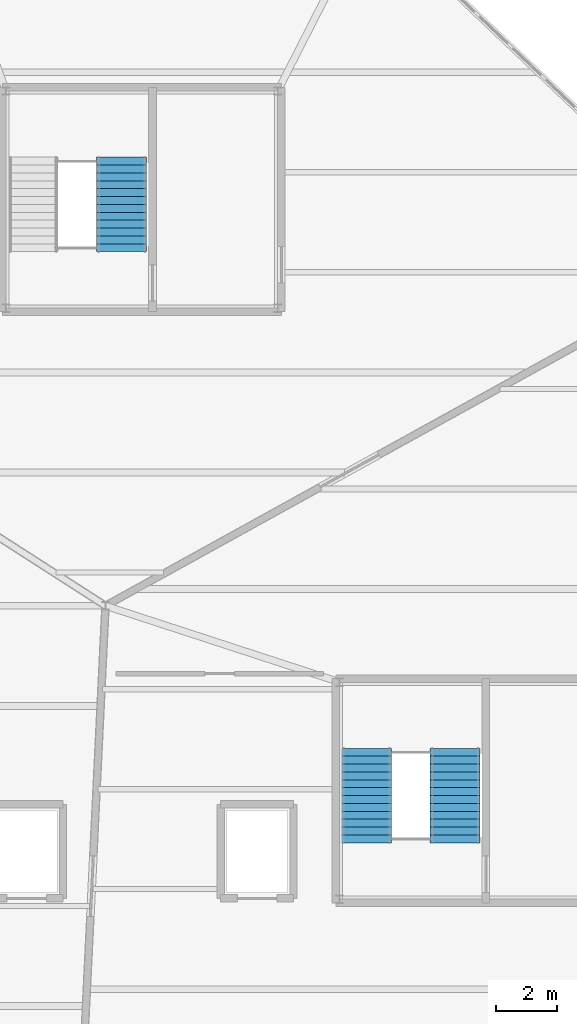
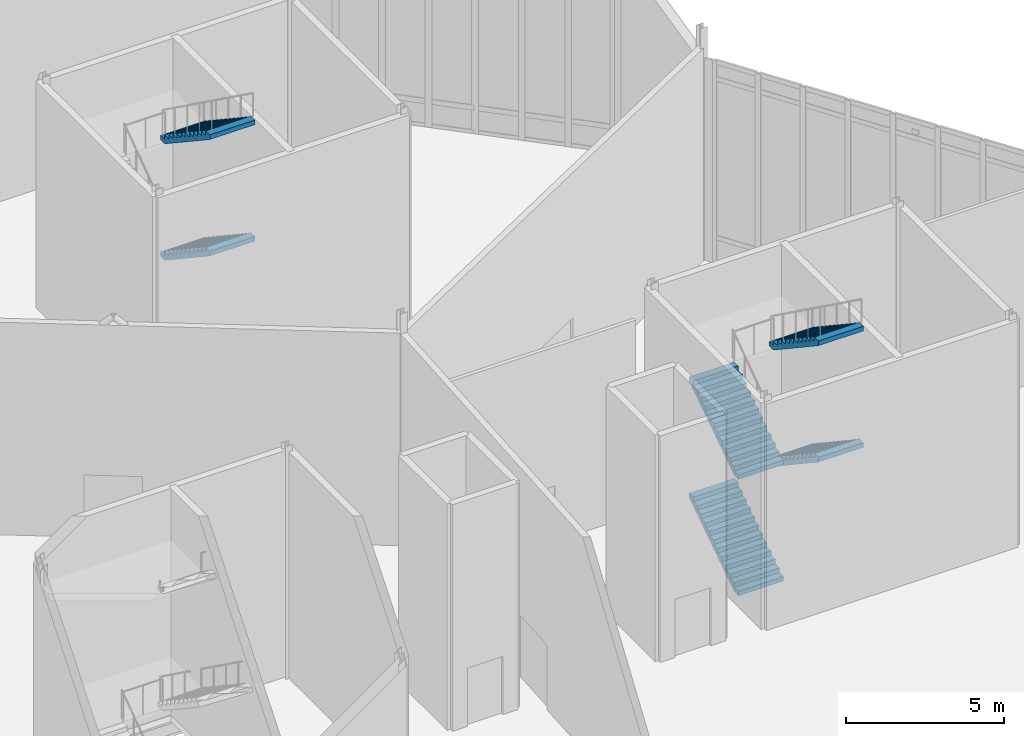
# One storey, part 61 of 66: 6 stair flights, 2 elements without a shape of their own.
"""IFC4 building model written with IfcOpenShell, lengths in metres."""

from ifc_helpers import new_model, si_unit, direction, frame, origin, place, context, subcontext, project, spatial, polyline, outline, extrude, material, type_object, element, aggregate, save


model = new_model("IFC4")

# Units and contexts
model_context = context("Model", 3, precision=1e-05, world=origin(), true_north=direction((0.0, 1.0)))
body_context = subcontext(model_context, "Body", "Model", "MODEL_VIEW")
ifc_project = project(units=[si_unit("LENGTHUNIT", "METRE"), si_unit("AREAUNIT", "SQUARE_METRE"), si_unit("VOLUMEUNIT", "CUBIC_METRE"), si_unit("PLANEANGLEUNIT", "RADIAN"), si_unit("MASSUNIT", "GRAM", prefix="KILO")], contexts=[model_context])

# Site, building, storey
site_placement = place(None, origin())
site = spatial("IfcSite", under=ifc_project, at=site_placement, CompositionType="ELEMENT")
building_placement = place(site_placement, origin())
building = spatial("IfcBuilding", under=site, at=building_placement, Name="Tameran Prism Museum", CompositionType="ELEMENT")
storey_placement = place(building_placement, frame((0.0, 0.0, 19.800048828125)))
storey = spatial("IfcBuildingStorey", under=building, at=storey_placement, Name="L04", CompositionType="ELEMENT", Elevation=19.800048828125)

# Stair, stair flights
ifc_material_1 = material(Name="Concrete N40 (40 MPa)", Category="concrete")
stair_type = type_object("IfcStairType", Name="ST-CORE-90", PredefinedType="HALF_TURN_STAIR", material=ifc_material_1)
stair_1_placement = place(storey_placement, origin())
stair_1 = element("IfcStair", 1, at=stair_1_placement, inside=storey, type_object=stair_type, Name="Fire-Isolated Stair ST-02-L04", PredefinedType="HALF_TURN_STAIR")
ifc_material_2 = material(Name="Concrete N40 (40 MPa)", Category="concrete")
stair_flight_type = type_object("IfcStairFlightType", Name="SF-RC-165", PredefinedType="STRAIGHT", material=ifc_material_2)
stair_flight_1_placement = place(storey_placement, frame((127.4150390625, 81.280029296875, 0.0), z_axis=(0.0, 0.0, 1.0), x_axis=(0.0, 1.0, 0.0)))
stair_flight_1 = element("IfcStairFlight", 2, at=stair_flight_1_placement, type_object=stair_flight_type, Name="ST-02-L04 flight 1", NumberOfRisers=13, NumberOfTreads=12, PredefinedType="STRAIGHT", RiserHeight=0.173077, TreadLength=0.26, context=body_context, shape_type="SweptSolid", body=[
    extrude(outline(polyline([(0.0, 0.0), (0.0, 0.173095703125), (0.260009765625, 0.173095703125), (0.260009765625, 0.34619140625), (0.52001953125, 0.34619140625), (0.52001953125, 0.519287109375), (0.780029296875, 0.519287109375), (0.780029296875, 0.6923828125), (1.0400390625, 0.6923828125), (1.0400390625, 0.865478515625), (1.300048828125, 0.865478515625), (1.300048828125, 1.03857421875), (1.56005859375, 1.03857421875), (1.56005859375, 1.21142578125), (1.820068359375, 1.21142578125), (1.820068359375, 1.384521484375), (2.080078125, 1.384521484375), (2.080078125, 1.5576171875), (2.340087890625, 1.5576171875), (2.340087890625, 1.730712890625), (2.60009765625, 1.730712890625), (2.60009765625, 1.90380859375), (2.860107421875, 1.90380859375), (2.860107421875, 2.076904296875), (3.1201171875, 2.076904296875), (3.1201171875, 2.25), (3.1201171875, 1.896728515625), (0.2705078125, 0.0), (0.0, 0.0)])), frame((0.0, 0.824951171875, 0.0), z_axis=(0.0, -1.0, 0.0), x_axis=(1.0, 0.0, 0.0)), (0.0, 0.0, 1.0), 1.64990234375),
])
stair_flight_2_placement = place(storey_placement, frame((130.3349609375, 84.39990234375, 2.25), z_axis=(0.0, 0.0, 1.0), x_axis=(0.0, -1.0, 0.0)))
stair_flight_2 = element("IfcStairFlight", 3, at=stair_flight_2_placement, type_object=stair_flight_type, Name="ST-02-L04 flight 2", NumberOfRisers=13, NumberOfTreads=12, PredefinedType="STRAIGHT", RiserHeight=0.173077, TreadLength=0.26, context=body_context, shape_type="SweptSolid", body=[
    extrude(outline(polyline([(0.0, 0.0), (0.0, 0.173095703125), (0.260009765625, 0.173095703125), (0.260009765625, 0.34619140625), (0.52001953125, 0.34619140625), (0.52001953125, 0.519287109375), (0.780029296875, 0.519287109375), (0.780029296875, 0.6923828125), (1.0400390625, 0.6923828125), (1.0400390625, 0.865478515625), (1.300048828125, 0.865478515625), (1.300048828125, 1.03857421875), (1.56005859375, 1.03857421875), (1.56005859375, 1.21142578125), (1.820068359375, 1.21142578125), (1.820068359375, 1.384521484375), (2.080078125, 1.384521484375), (2.080078125, 1.5576171875), (2.340087890625, 1.5576171875), (2.340087890625, 1.730712890625), (2.60009765625, 1.730712890625), (2.60009765625, 1.90380859375), (2.860107421875, 1.90380859375), (2.860107421875, 2.076904296875), (3.1201171875, 2.076904296875), (3.1201171875, 2.25), (3.1201171875, 1.896728515625), (0.2705078125, 0.0), (0.0, 0.0)])), frame((0.0, 0.824951171875, 0.0), z_axis=(0.0, -1.0, 0.0), x_axis=(1.0, 0.0, 0.0)), (0.0, 0.0, 1.0), 1.64990234375),
])
stair_flight_3_placement = place(storey_placement, frame((127.4150390625, 81.280029296875, 4.5), z_axis=(0.0, 0.0, 1.0), x_axis=(0.0, 1.0, 0.0)))
stair_flight_3 = element("IfcStairFlight", 4, at=stair_flight_3_placement, type_object=stair_flight_type, Name="ST-02-L04 flight 3", NumberOfRisers=13, NumberOfTreads=12, PredefinedType="STRAIGHT", RiserHeight=0.173077, TreadLength=0.26, context=body_context, shape_type="SweptSolid", body=[
    extrude(outline(polyline([(0.0, 0.0), (0.0, 0.173095703125), (0.260009765625, 0.173095703125), (0.260009765625, 0.34619140625), (0.52001953125, 0.34619140625), (0.52001953125, 0.519287109375), (0.780029296875, 0.519287109375), (0.780029296875, 0.6923828125), (1.0400390625, 0.6923828125), (1.0400390625, 0.865478515625), (1.300048828125, 0.865478515625), (1.300048828125, 1.03857421875), (1.56005859375, 1.03857421875), (1.56005859375, 1.21142578125), (1.820068359375, 1.21142578125), (1.820068359375, 1.384521484375), (2.080078125, 1.384521484375), (2.080078125, 1.5576171875), (2.340087890625, 1.5576171875), (2.340087890625, 1.730712890625), (2.60009765625, 1.730712890625), (2.60009765625, 1.90380859375), (2.860107421875, 1.90380859375), (2.860107421875, 2.076904296875), (3.1201171875, 2.076904296875), (3.1201171875, 2.25), (3.1201171875, 1.896728515625), (0.2705078125, 0.0), (0.0, 0.0)])), frame((0.0, 0.824951171875, 0.0), z_axis=(0.0, -1.0, 0.0), x_axis=(1.0, 0.0, 0.0)), (0.0, 0.0, 1.0), 1.64990234375),
])
stair_flight_4_placement = place(storey_placement, frame((130.3349609375, 84.39990234375, 6.75), z_axis=(0.0, 0.0, 1.0), x_axis=(0.0, -1.0, 0.0)))
stair_flight_4 = element("IfcStairFlight", 5, at=stair_flight_4_placement, type_object=stair_flight_type, Name="ST-02-L04 flight 4", NumberOfRisers=13, NumberOfTreads=12, PredefinedType="STRAIGHT", RiserHeight=0.173077, TreadLength=0.26, context=body_context, shape_type="SweptSolid", body=[
    extrude(outline(polyline([(0.0, 0.0), (0.0, 0.173095703125), (0.260009765625, 0.173095703125), (0.260009765625, 0.34619140625), (0.52001953125, 0.34619140625), (0.52001953125, 0.519287109375), (0.780029296875, 0.519287109375), (0.780029296875, 0.6923828125), (1.0400390625, 0.6923828125), (1.0400390625, 0.865478515625), (1.300048828125, 0.865478515625), (1.300048828125, 1.03857421875), (1.56005859375, 1.03857421875), (1.56005859375, 1.21142578125), (1.820068359375, 1.21142578125), (1.820068359375, 1.384521484375), (2.080078125, 1.384521484375), (2.080078125, 1.5576171875), (2.340087890625, 1.5576171875), (2.340087890625, 1.730712890625), (2.60009765625, 1.730712890625), (2.60009765625, 1.90380859375), (2.860107421875, 1.90380859375), (2.860107421875, 2.076904296875), (3.1201171875, 2.076904296875), (3.1201171875, 2.25), (3.1201171875, 1.896728515625), (0.2705078125, 0.0), (0.0, 0.0)])), frame((0.0, 0.824951171875, 0.0), z_axis=(0.0, -1.0, 0.0), x_axis=(1.0, 0.0, 0.0)), (0.0, 0.0, 1.0), 1.64990234375),
])
aggregate(stair_1, [stair_flight_1, stair_flight_2, stair_flight_3, stair_flight_4])

stair_2_placement = place(storey_placement, origin())
stair_2 = element("IfcStair", 6, at=stair_2_placement, inside=storey, type_object=stair_type, Name="Fire-Isolated Stair ST-07-L04", PredefinedType="HALF_TURN_STAIR")
stair_flight_5_placement = place(storey_placement, frame((119.3349609375, 103.89990234375, 2.25), z_axis=(0.0, 0.0, 1.0), x_axis=(0.0, -1.0, 0.0)))
stair_flight_5 = element("IfcStairFlight", 7, at=stair_flight_5_placement, type_object=stair_flight_type, Name="ST-07-L04 flight 2", NumberOfRisers=13, NumberOfTreads=12, PredefinedType="STRAIGHT", RiserHeight=0.173077, TreadLength=0.26, context=body_context, shape_type="SweptSolid", body=[
    extrude(outline(polyline([(0.0, 0.0), (0.0, 0.173095703125), (0.260009765625, 0.173095703125), (0.260009765625, 0.34619140625), (0.52001953125, 0.34619140625), (0.52001953125, 0.519287109375), (0.780029296875, 0.519287109375), (0.780029296875, 0.6923828125), (1.0400390625, 0.6923828125), (1.0400390625, 0.865478515625), (1.300048828125, 0.865478515625), (1.300048828125, 1.03857421875), (1.56005859375, 1.03857421875), (1.56005859375, 1.21142578125), (1.820068359375, 1.21142578125), (1.820068359375, 1.384521484375), (2.080078125, 1.384521484375), (2.080078125, 1.5576171875), (2.340087890625, 1.5576171875), (2.340087890625, 1.730712890625), (2.60009765625, 1.730712890625), (2.60009765625, 1.90380859375), (2.860107421875, 1.90380859375), (2.860107421875, 2.076904296875), (3.1201171875, 2.076904296875), (3.1201171875, 2.25), (3.1201171875, 1.896728515625), (0.2705078125, 0.0), (0.0, 0.0)])), frame((0.0, 0.824951171875, 0.0), z_axis=(0.0, -1.0, 0.0), x_axis=(1.0, 0.0, 0.0)), (0.0, 0.0, 1.0), 1.64990234375),
])
stair_flight_6_placement = place(storey_placement, frame((119.3349609375, 103.89990234375, 6.75), z_axis=(0.0, 0.0, 1.0), x_axis=(0.0, -1.0, 0.0)))
stair_flight_6 = element("IfcStairFlight", 8, at=stair_flight_6_placement, type_object=stair_flight_type, Name="ST-07-L04 flight 4", NumberOfRisers=13, NumberOfTreads=12, PredefinedType="STRAIGHT", RiserHeight=0.173077, TreadLength=0.26, context=body_context, shape_type="SweptSolid", body=[
    extrude(outline(polyline([(0.0, 0.0), (0.0, 0.173095703125), (0.260009765625, 0.173095703125), (0.260009765625, 0.34619140625), (0.52001953125, 0.34619140625), (0.52001953125, 0.519287109375), (0.780029296875, 0.519287109375), (0.780029296875, 0.6923828125), (1.0400390625, 0.6923828125), (1.0400390625, 0.865478515625), (1.300048828125, 0.865478515625), (1.300048828125, 1.03857421875), (1.56005859375, 1.03857421875), (1.56005859375, 1.21142578125), (1.820068359375, 1.21142578125), (1.820068359375, 1.384521484375), (2.080078125, 1.384521484375), (2.080078125, 1.5576171875), (2.340087890625, 1.5576171875), (2.340087890625, 1.730712890625), (2.60009765625, 1.730712890625), (2.60009765625, 1.90380859375), (2.860107421875, 1.90380859375), (2.860107421875, 2.076904296875), (3.1201171875, 2.076904296875), (3.1201171875, 2.25), (3.1201171875, 1.896728515625), (0.2705078125, 0.0), (0.0, 0.0)])), frame((0.0, 0.824951171875, 0.0), z_axis=(0.0, -1.0, 0.0), x_axis=(1.0, 0.0, 0.0)), (0.0, 0.0, 1.0), 1.64990234375),
])
aggregate(stair_2, [stair_flight_5, stair_flight_6])

save(model, "model.ifc")
